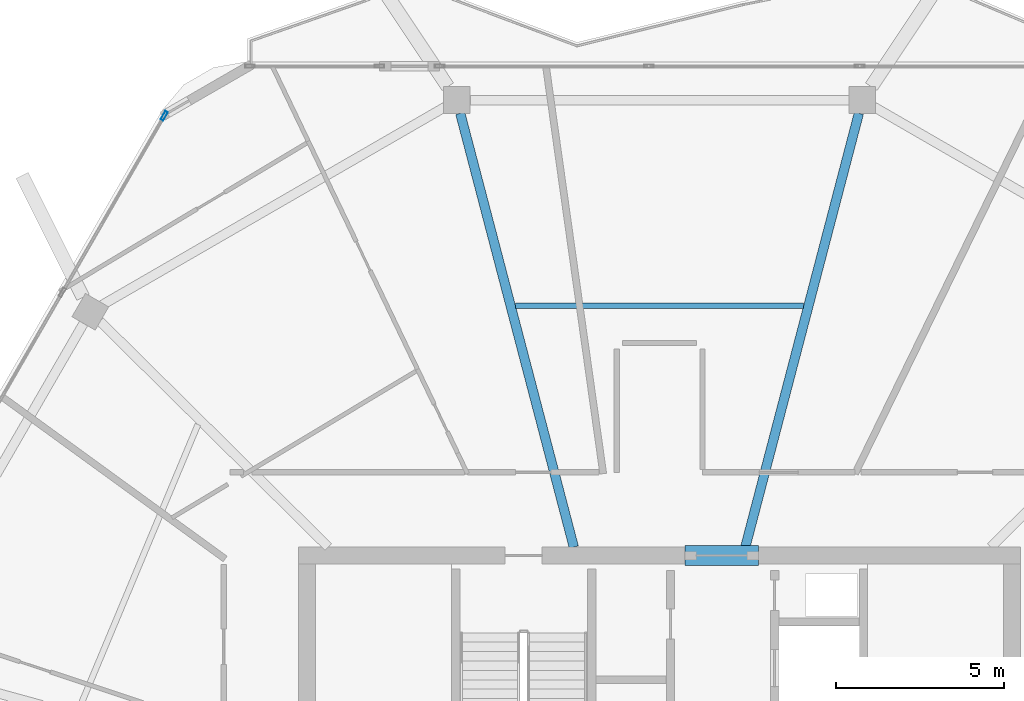
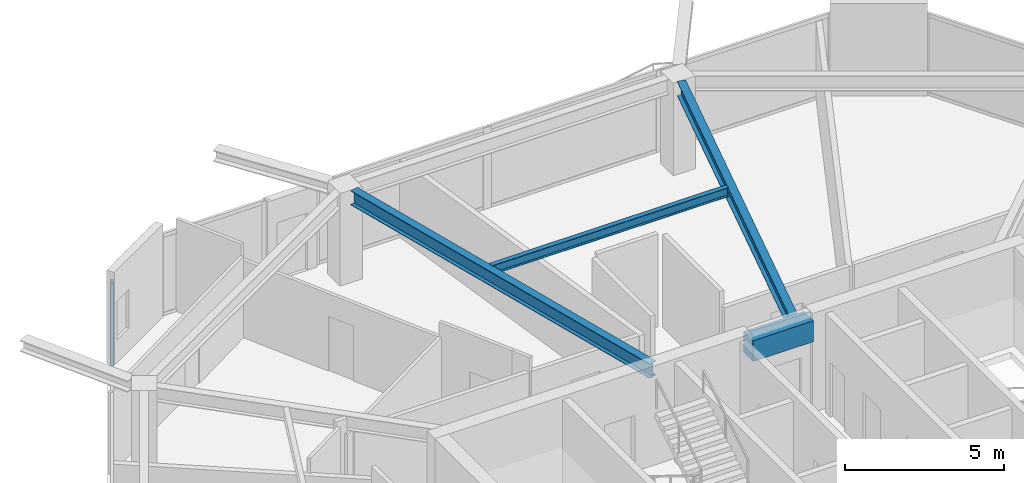
# One storey, part 9 of 20: 4 beams, 1 member, 1 element without a shape of its own.
"""IFC4 building model written with IfcOpenShell, lengths in metres."""

from ifc_helpers import new_model, si_unit, direction, frame, origin, origin_2d, place, context, subcontext, project, spatial, rectangle, hollow_rectangle, i_section, extrude, material, material_profile, profile_set, type_object, element, aggregate, save


model = new_model("IFC4")

# Units and contexts
model_context = context("Model", 3, precision=1e-05, world=origin(), true_north=direction((0.0, 1.0)))
body_context = subcontext(model_context, "Body", "Model", "MODEL_VIEW")
ifc_project = project(units=[si_unit("LENGTHUNIT", "METRE"), si_unit("AREAUNIT", "SQUARE_METRE"), si_unit("VOLUMEUNIT", "CUBIC_METRE"), si_unit("PLANEANGLEUNIT", "RADIAN"), si_unit("MASSUNIT", "GRAM", prefix="KILO")], contexts=[model_context])

# Site, building, storey
site_placement = place(None, origin())
site = spatial("IfcSite", under=ifc_project, at=site_placement, CompositionType="ELEMENT")
building_placement = place(site_placement, origin())
building = spatial("IfcBuilding", under=site, at=building_placement, Name="Zuhravey Tower", CompositionType="ELEMENT")
storey_placement = place(building_placement, frame((0.0, 0.0, 312.0)))
storey = spatial("IfcBuildingStorey", under=building, at=storey_placement, Name="L79", CompositionType="ELEMENT", Elevation=312.0)

# Beam
ifc_material_1 = material(Name="Concrete C50/60", Category="concrete")
ifc_material_profile_1 = material_profile(ifc_material_1, rectangle(XDim=0.60009765625, YDim=0.800048828125, at=origin_2d()), Name="RC-600x800")
ifc_profile_set_1 = profile_set([ifc_material_profile_1], Name="Concrete C50/60")
beam_type_1 = type_object("IfcBeamType", Name="Core Coupling Beam RC600x800", PredefinedType="LINTEL", material=ifc_profile_set_1)
beam_1_placement = place(storey_placement, frame((36.751953125, 41.5, 3.14990234375), z_axis=(1.0, 0.0, 0.0), x_axis=(0.0, 1.0, 0.0)))
element("IfcBeam", 1, at=beam_1_placement, inside=storey, type_object=beam_type_1, Name="L79 CB2 BM-L79-CB-N", PredefinedType="LINTEL", context=body_context, shape_type="SweptSolid", body=[
    extrude(rectangle(XDim=0.60009765625, YDim=0.800048828125, at=origin_2d()), origin(), (0.0, 0.0, 1.0), 2.196044921875),
])

# Curtain wall, member
ifc_material_2 = material(Name="Thermally broken anodised aluminium", Category="aluminium")
curtain_wall_type = type_object("IfcCurtainWallType", Name="Zone 3-4 High-Rise Curtain Wall CW4", PredefinedType="NOTDEFINED", material=ifc_material_2)
curtain_wall_placement = place(storey_placement, origin())
curtain_wall = element("IfcCurtainWall", 2, at=curtain_wall_placement, inside=storey, type_object=curtain_wall_type, Name="L79 CW4 CW-L79-F3-1", PredefinedType="NOTDEFINED")
ifc_material_3 = material(Name="Anodised aluminium", Category="aluminium")
ifc_material_profile_2 = material_profile(ifc_material_3, hollow_rectangle(XDim=0.090087890625, YDim=0.284912109375, WallThickness=0.0048828125, at=origin_2d()), Name="ALU-RHS-90x285x5")
ifc_profile_set_2 = profile_set([ifc_material_profile_2], Name="Anodised aluminium")
member_type = type_object("IfcMemberType", Name="Curtain-Wall Mullion 90x180", PredefinedType="MULLION", material=ifc_profile_set_2)
member_placement = place(storey_placement, frame((21.248291015625, 54.59765625, 0.0), z_axis=(0.0, 0.0, 1.0), x_axis=(-0.866025511541, 0.49999981336, 0.0)))
member = element("IfcMember", 3, at=member_placement, type_object=member_type, Name="CW4 mullion 5", PredefinedType="MULLION", context=body_context, shape_type="SweptSolid", body=[
    extrude(hollow_rectangle(XDim=0.090087890625, YDim=0.284912109375, WallThickness=0.0048828125, at=origin_2d()), origin(), (0.0, 0.0, 1.0), 3.1220703125),
])
aggregate(curtain_wall, [member])

# Beams
ifc_material_4 = material(Name="Steel SM355", Category="steel")
ifc_material_profile_3 = material_profile(ifc_material_4, i_section(OverallWidth=0.280029296875, OverallDepth=0.550048828125, WebThickness=0.010986328125, FlangeThickness=0.01806640625, at=origin_2d()), Name="H-550x280x11x18")
ifc_profile_set_3 = profile_set([ifc_material_profile_3], Name="Steel SM355")
beam_type_2 = type_object("IfcBeamType", Name="Radial Primary Girder H550x280", PredefinedType="BEAM", material=ifc_profile_set_3)
for number, where, z_axis, x_axis, name in (
    (4, (38.553466796875, 41.7529296875, 3.27490234375), (0.253281197106, 0.967392699576, 0.0), (-0.967392699576, 0.253281197106, 0.0), "L79 RG4 BM-L79-RAD-03"),
    (5, (33.446533203125, 41.7529296875, 3.27490234375), (-0.253281197106, 0.967392699576, 0.0), (-0.967392699576, -0.253281197106, 0.0), "L79 RG4 BM-L79-RAD-04"),
):
    element("IfcBeam", number, at=place(storey_placement, frame(where, z_axis=z_axis, x_axis=x_axis)), inside=storey, type_object=beam_type_2, Name=name, PredefinedType="BEAM", context=body_context, shape_type="SweptSolid", body=[
        extrude(i_section(OverallWidth=0.280029296875, OverallDepth=0.550048828125, WebThickness=0.010986328125, FlangeThickness=0.01806640625, at=origin_2d()), origin(), (0.0, 0.0, 1.0), 13.35693359375),
    ])
ifc_material_profile_4 = material_profile(ifc_material_4, i_section(OverallWidth=0.175048828125, OverallDepth=0.35009765625, WebThickness=0.007080078125, FlangeThickness=0.010986328125, at=origin_2d()), Name="H-350x175x7x11")
ifc_profile_set_4 = profile_set([ifc_material_profile_4], Name="Steel SM355")
beam_type_3 = type_object("IfcBeamType", Name="Secondary Floor Joist H350x175", PredefinedType="JOIST", material=ifc_profile_set_4)
beam_2_placement = place(storey_placement, frame((40.29150390625, 48.94091796875, 3.375), z_axis=(-1.0, 0.0, 0.0), x_axis=(0.0, -1.0, 0.0)))
element("IfcBeam", 6, at=beam_2_placement, inside=storey, type_object=beam_type_3, Name="L79 SJ3 BM-L79-SJ-03-1", PredefinedType="JOIST", context=body_context, shape_type="SweptSolid", body=[
    extrude(i_section(OverallWidth=0.175048828125, OverallDepth=0.35009765625, WebThickness=0.007080078125, FlangeThickness=0.010986328125, at=origin_2d()), origin(), (0.0, 0.0, 1.0), 8.5830078125),
])

save(model, "model.ifc")
